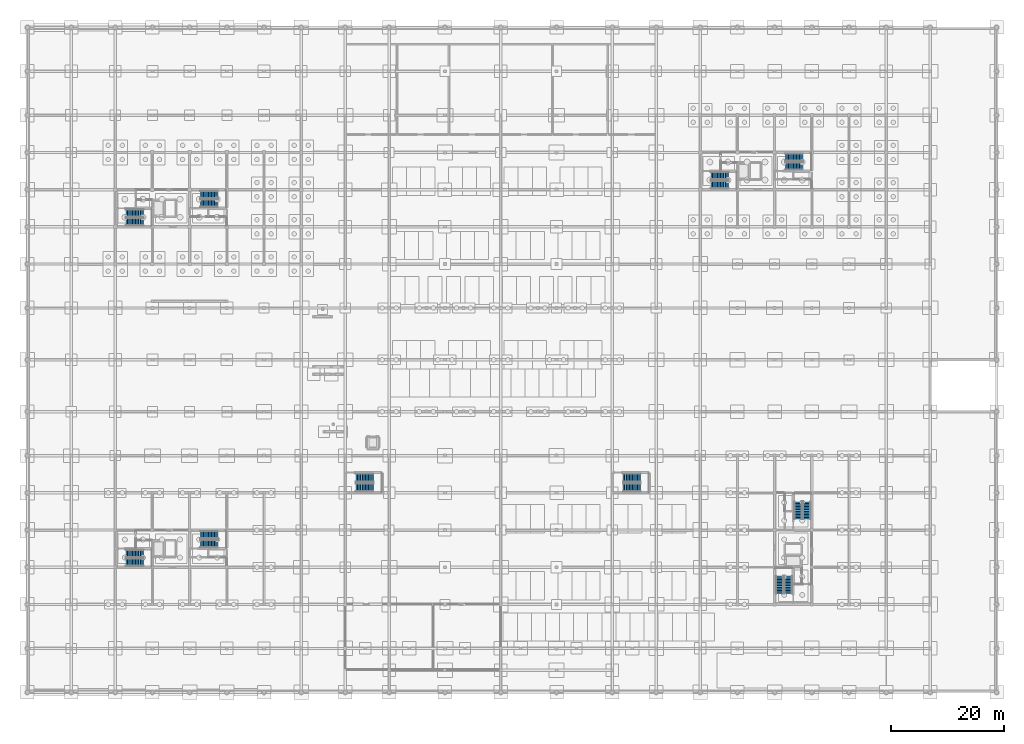
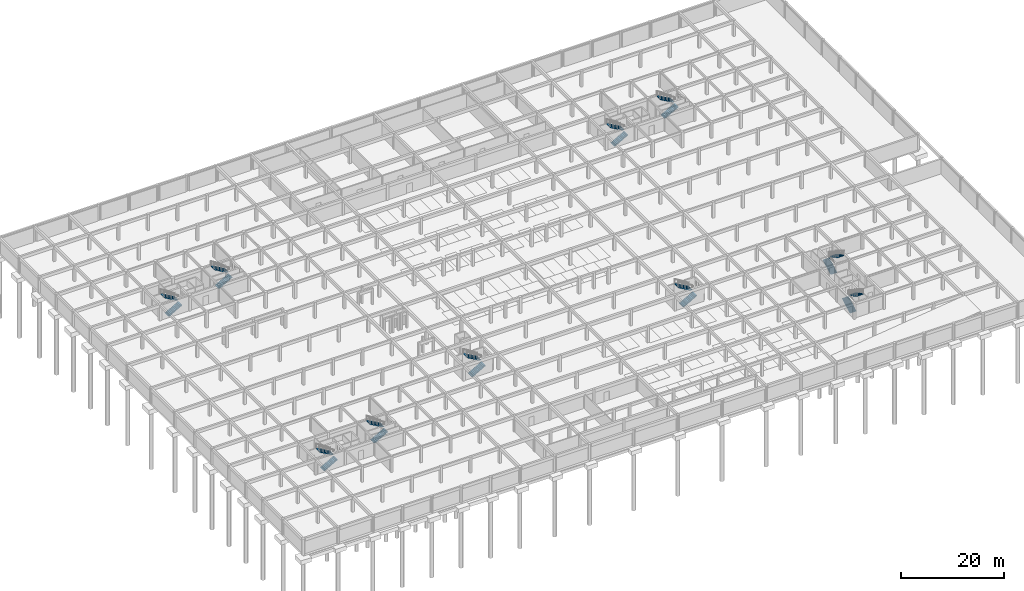
# One storey, part 32 of 37: 20 stair flights, 10 elements without a shape of their own.
"""IFC4 building model written with IfcOpenShell, lengths in metres."""

from ifc_helpers import new_model, si_unit, direction, frame, origin, place, context, subcontext, project, spatial, polyline, outline, extrude, material, type_object, element, aggregate, save


model = new_model("IFC4")

# Units and contexts
model_context = context("Model", 3, precision=1e-05, world=origin(), true_north=direction((0.0, 1.0)))
body_context = subcontext(model_context, "Body", "Model", "MODEL_VIEW")
ifc_project = project(units=[si_unit("LENGTHUNIT", "METRE"), si_unit("AREAUNIT", "SQUARE_METRE"), si_unit("VOLUMEUNIT", "CUBIC_METRE"), si_unit("PLANEANGLEUNIT", "RADIAN"), si_unit("MASSUNIT", "GRAM", prefix="KILO")], contexts=[model_context])

# Site, building, storey
site_placement = place(None, origin())
site = spatial("IfcSite", under=ifc_project, at=site_placement, CompositionType="ELEMENT")
building_placement = place(site_placement, origin())
building = spatial("IfcBuilding", under=site, at=building_placement, Name="Kernevlak Ridge Housing Community", CompositionType="ELEMENT")
storey_placement = place(building_placement, frame((0.0, 0.0, -3.800048828125)))
storey = spatial("IfcBuildingStorey", under=building, at=storey_placement, Name="B1", CompositionType="ELEMENT", Elevation=-3.800048828125)

# Stair, stair flights
ifc_material = material(Name="Concrete C35/45", Category="concrete")
stair_type_1 = type_object("IfcStairType", Name="SR-03", PredefinedType="HALF_TURN_STAIR", material=ifc_material)
stair_1_placement = place(storey_placement, origin())
stair_1 = element("IfcStair", 1, at=stair_1_placement, inside=storey, type_object=stair_type_1, Name="Stair ST-A1 B1", PredefinedType="HALF_TURN_STAIR")
stair_flight_type_1 = type_object("IfcStairFlightType", Name="SF-03", PredefinedType="STRAIGHT", material=ifc_material)
stair_flight_1_placement = place(storey_placement, frame((17.52001953125, 83.4599609375, 0.0), z_axis=(0.0, 0.0, 1.0), x_axis=(1.0, 0.0, 0.0)))
stair_flight_1 = element("IfcStairFlight", 2, at=stair_flight_1_placement, type_object=stair_flight_type_1, Name="SR-03 flight 1", NumberOfRisers=12, NumberOfTreads=11, PredefinedType="STRAIGHT", RiserHeight=0.158333333, TreadLength=0.28, context=body_context, shape_type="SweptSolid", body=[
    extrude(outline(polyline([(0.0, 0.0), (0.0, 0.158447265625), (0.280029296875, 0.158447265625), (0.280029296875, 0.316650390625), (0.56005859375, 0.316650390625), (0.56005859375, 0.47509765625), (0.840087890625, 0.47509765625), (0.840087890625, 0.63330078125), (1.1201171875, 0.63330078125), (1.1201171875, 0.791748046875), (1.39990234375, 0.791748046875), (1.39990234375, 0.949951171875), (1.679931640625, 0.949951171875), (1.679931640625, 1.1083984375), (1.9599609375, 1.1083984375), (1.9599609375, 1.2666015625), (2.239990234375, 1.2666015625), (2.239990234375, 1.425048828125), (2.52001953125, 1.425048828125), (2.52001953125, 1.583251953125), (2.800048828125, 1.583251953125), (2.800048828125, 1.74169921875), (3.080078125, 1.74169921875), (3.080078125, 1.89990234375), (3.080078125, 1.54638671875), (0.34521484375, 0.0), (0.0, 0.0)])), frame((0.0, 0.699951171875, 0.0), z_axis=(0.0, -1.0, 0.0), x_axis=(1.0, 0.0, 0.0)), (0.0, 0.0, 1.0), 1.39990234375),
])
stair_flight_2_placement = place(storey_placement, frame((20.60009765625, 85.0400390625, 1.900146484375), z_axis=(0.0, 0.0, 1.0), x_axis=(-1.0, 0.0, 0.0)))
stair_flight_2 = element("IfcStairFlight", 3, at=stair_flight_2_placement, type_object=stair_flight_type_1, Name="SR-03 flight 2", NumberOfRisers=12, NumberOfTreads=11, PredefinedType="STRAIGHT", RiserHeight=0.158333333, TreadLength=0.28, context=body_context, shape_type="SweptSolid", body=[
    extrude(outline(polyline([(0.0, 0.0), (0.0, 0.158447265625), (0.280029296875, 0.158447265625), (0.280029296875, 0.316650390625), (0.56005859375, 0.316650390625), (0.56005859375, 0.47509765625), (0.840087890625, 0.47509765625), (0.840087890625, 0.63330078125), (1.1201171875, 0.63330078125), (1.1201171875, 0.791748046875), (1.39990234375, 0.791748046875), (1.39990234375, 0.949951171875), (1.679931640625, 0.949951171875), (1.679931640625, 1.1083984375), (1.9599609375, 1.1083984375), (1.9599609375, 1.2666015625), (2.239990234375, 1.2666015625), (2.239990234375, 1.425048828125), (2.52001953125, 1.425048828125), (2.52001953125, 1.583251953125), (2.800048828125, 1.583251953125), (2.800048828125, 1.74169921875), (3.080078125, 1.74169921875), (3.080078125, 1.89990234375), (3.080078125, 1.54638671875), (0.34521484375, 0.0), (0.0, 0.0)])), frame((0.0, 0.699951171875, 0.0), z_axis=(0.0, -1.0, 0.0), x_axis=(1.0, 0.0, 0.0)), (0.0, 0.0, 1.0), 1.39990234375),
])
aggregate(stair_1, [stair_flight_1, stair_flight_2])

stair_2_placement = place(storey_placement, origin())
stair_2 = element("IfcStair", 4, at=stair_2_placement, inside=storey, type_object=stair_type_1, Name="Stair ST-A2 B1", PredefinedType="HALF_TURN_STAIR")
stair_flight_3_placement = place(storey_placement, frame((30.719970703125, 86.760009765625, 0.0), z_axis=(0.0, 0.0, 1.0), x_axis=(1.0, 0.0, 0.0)))
stair_flight_3 = element("IfcStairFlight", 5, at=stair_flight_3_placement, type_object=stair_flight_type_1, Name="SR-03 flight 1", NumberOfRisers=12, NumberOfTreads=11, PredefinedType="STRAIGHT", RiserHeight=0.158333333, TreadLength=0.28, context=body_context, shape_type="SweptSolid", body=[
    extrude(outline(polyline([(0.0, 0.0), (0.0, 0.158447265625), (0.280029296875, 0.158447265625), (0.280029296875, 0.316650390625), (0.56005859375, 0.316650390625), (0.56005859375, 0.47509765625), (0.840087890625, 0.47509765625), (0.840087890625, 0.63330078125), (1.1201171875, 0.63330078125), (1.1201171875, 0.791748046875), (1.39990234375, 0.791748046875), (1.39990234375, 0.949951171875), (1.679931640625, 0.949951171875), (1.679931640625, 1.1083984375), (1.9599609375, 1.1083984375), (1.9599609375, 1.2666015625), (2.239990234375, 1.2666015625), (2.239990234375, 1.425048828125), (2.52001953125, 1.425048828125), (2.52001953125, 1.583251953125), (2.800048828125, 1.583251953125), (2.800048828125, 1.74169921875), (3.080078125, 1.74169921875), (3.080078125, 1.89990234375), (3.080078125, 1.54638671875), (0.34521484375, 0.0), (0.0, 0.0)])), frame((0.0, 0.699951171875, 0.0), z_axis=(0.0, -1.0, 0.0), x_axis=(1.0, 0.0, 0.0)), (0.0, 0.0, 1.0), 1.39990234375),
])
stair_flight_4_placement = place(storey_placement, frame((33.800048828125, 88.340087890625, 1.900146484375), z_axis=(0.0, 0.0, 1.0), x_axis=(-1.0, 0.0, 0.0)))
stair_flight_4 = element("IfcStairFlight", 6, at=stair_flight_4_placement, type_object=stair_flight_type_1, Name="SR-03 flight 2", NumberOfRisers=12, NumberOfTreads=11, PredefinedType="STRAIGHT", RiserHeight=0.158333333, TreadLength=0.28, context=body_context, shape_type="SweptSolid", body=[
    extrude(outline(polyline([(0.0, 0.0), (0.0, 0.158447265625), (0.280029296875, 0.158447265625), (0.280029296875, 0.316650390625), (0.56005859375, 0.316650390625), (0.56005859375, 0.47509765625), (0.840087890625, 0.47509765625), (0.840087890625, 0.63330078125), (1.1201171875, 0.63330078125), (1.1201171875, 0.791748046875), (1.39990234375, 0.791748046875), (1.39990234375, 0.949951171875), (1.679931640625, 0.949951171875), (1.679931640625, 1.1083984375), (1.9599609375, 1.1083984375), (1.9599609375, 1.2666015625), (2.239990234375, 1.2666015625), (2.239990234375, 1.425048828125), (2.52001953125, 1.425048828125), (2.52001953125, 1.583251953125), (2.800048828125, 1.583251953125), (2.800048828125, 1.74169921875), (3.080078125, 1.74169921875), (3.080078125, 1.89990234375), (3.080078125, 1.54638671875), (0.34521484375, 0.0), (0.0, 0.0)])), frame((0.0, 0.699951171875, 0.0), z_axis=(0.0, -1.0, 0.0), x_axis=(1.0, 0.0, 0.0)), (0.0, 0.0, 1.0), 1.39990234375),
])
aggregate(stair_2, [stair_flight_3, stair_flight_4])

stair_3_placement = place(storey_placement, origin())
stair_3 = element("IfcStair", 7, at=stair_3_placement, inside=storey, type_object=stair_type_1, Name="Stair ST-B1 B1", PredefinedType="HALF_TURN_STAIR")
stair_flight_5_placement = place(storey_placement, frame((121.320068359375, 90.06005859375, 0.0), z_axis=(0.0, 0.0, 1.0), x_axis=(1.0, 0.0, 0.0)))
stair_flight_5 = element("IfcStairFlight", 8, at=stair_flight_5_placement, type_object=stair_flight_type_1, Name="SR-03 flight 1", NumberOfRisers=12, NumberOfTreads=11, PredefinedType="STRAIGHT", RiserHeight=0.158333333, TreadLength=0.28, context=body_context, shape_type="SweptSolid", body=[
    extrude(outline(polyline([(0.0, 0.0), (0.0, 0.158447265625), (0.280029296875, 0.158447265625), (0.280029296875, 0.316650390625), (0.56005859375, 0.316650390625), (0.56005859375, 0.47509765625), (0.840087890625, 0.47509765625), (0.840087890625, 0.63330078125), (1.1201171875, 0.63330078125), (1.1201171875, 0.791748046875), (1.39990234375, 0.791748046875), (1.39990234375, 0.949951171875), (1.679931640625, 0.949951171875), (1.679931640625, 1.1083984375), (1.9599609375, 1.1083984375), (1.9599609375, 1.2666015625), (2.239990234375, 1.2666015625), (2.239990234375, 1.425048828125), (2.52001953125, 1.425048828125), (2.52001953125, 1.583251953125), (2.800048828125, 1.583251953125), (2.800048828125, 1.74169921875), (3.080078125, 1.74169921875), (3.080078125, 1.89990234375), (3.080078125, 1.54638671875), (0.34521484375, 0.0), (0.0, 0.0)])), frame((0.0, 0.699951171875, 0.0), z_axis=(0.0, -1.0, 0.0), x_axis=(1.0, 0.0, 0.0)), (0.0, 0.0, 1.0), 1.39990234375),
])
stair_flight_6_placement = place(storey_placement, frame((124.39990234375, 91.639892578125, 1.900146484375), z_axis=(0.0, 0.0, 1.0), x_axis=(-1.0, 0.0, 0.0)))
stair_flight_6 = element("IfcStairFlight", 9, at=stair_flight_6_placement, type_object=stair_flight_type_1, Name="SR-03 flight 2", NumberOfRisers=12, NumberOfTreads=11, PredefinedType="STRAIGHT", RiserHeight=0.158333333, TreadLength=0.28, context=body_context, shape_type="SweptSolid", body=[
    extrude(outline(polyline([(0.0, 0.0), (0.0, 0.158447265625), (0.280029296875, 0.158447265625), (0.280029296875, 0.316650390625), (0.56005859375, 0.316650390625), (0.56005859375, 0.47509765625), (0.840087890625, 0.47509765625), (0.840087890625, 0.63330078125), (1.1201171875, 0.63330078125), (1.1201171875, 0.791748046875), (1.39990234375, 0.791748046875), (1.39990234375, 0.949951171875), (1.679931640625, 0.949951171875), (1.679931640625, 1.1083984375), (1.9599609375, 1.1083984375), (1.9599609375, 1.2666015625), (2.239990234375, 1.2666015625), (2.239990234375, 1.425048828125), (2.52001953125, 1.425048828125), (2.52001953125, 1.583251953125), (2.800048828125, 1.583251953125), (2.800048828125, 1.74169921875), (3.080078125, 1.74169921875), (3.080078125, 1.89990234375), (3.080078125, 1.54638671875), (0.34521484375, 0.0), (0.0, 0.0)])), frame((0.0, 0.699951171875, 0.0), z_axis=(0.0, -1.0, 0.0), x_axis=(1.0, 0.0, 0.0)), (0.0, 0.0, 1.0), 1.39990234375),
])
aggregate(stair_3, [stair_flight_5, stair_flight_6])

stair_4_placement = place(storey_placement, origin())
stair_4 = element("IfcStair", 10, at=stair_4_placement, inside=storey, type_object=stair_type_1, Name="Stair ST-B2 B1", PredefinedType="HALF_TURN_STAIR")
stair_flight_7_placement = place(storey_placement, frame((134.52001953125, 93.360107421875, 0.0), z_axis=(0.0, 0.0, 1.0), x_axis=(1.0, 0.0, 0.0)))
stair_flight_7 = element("IfcStairFlight", 11, at=stair_flight_7_placement, type_object=stair_flight_type_1, Name="SR-03 flight 1", NumberOfRisers=12, NumberOfTreads=11, PredefinedType="STRAIGHT", RiserHeight=0.158333333, TreadLength=0.28, context=body_context, shape_type="SweptSolid", body=[
    extrude(outline(polyline([(0.0, 0.0), (0.0, 0.158447265625), (0.280029296875, 0.158447265625), (0.280029296875, 0.316650390625), (0.56005859375, 0.316650390625), (0.56005859375, 0.47509765625), (0.840087890625, 0.47509765625), (0.840087890625, 0.63330078125), (1.1201171875, 0.63330078125), (1.1201171875, 0.791748046875), (1.39990234375, 0.791748046875), (1.39990234375, 0.949951171875), (1.679931640625, 0.949951171875), (1.679931640625, 1.1083984375), (1.9599609375, 1.1083984375), (1.9599609375, 1.2666015625), (2.239990234375, 1.2666015625), (2.239990234375, 1.425048828125), (2.52001953125, 1.425048828125), (2.52001953125, 1.583251953125), (2.800048828125, 1.583251953125), (2.800048828125, 1.74169921875), (3.080078125, 1.74169921875), (3.080078125, 1.89990234375), (3.080078125, 1.54638671875), (0.34521484375, 0.0), (0.0, 0.0)])), frame((0.0, 0.699951171875, 0.0), z_axis=(0.0, -1.0, 0.0), x_axis=(1.0, 0.0, 0.0)), (0.0, 0.0, 1.0), 1.39990234375),
])
stair_flight_8_placement = place(storey_placement, frame((137.60009765625, 94.93994140625, 1.900146484375), z_axis=(0.0, 0.0, 1.0), x_axis=(-1.0, 0.0, 0.0)))
stair_flight_8 = element("IfcStairFlight", 12, at=stair_flight_8_placement, type_object=stair_flight_type_1, Name="SR-03 flight 2", NumberOfRisers=12, NumberOfTreads=11, PredefinedType="STRAIGHT", RiserHeight=0.158333333, TreadLength=0.28, context=body_context, shape_type="SweptSolid", body=[
    extrude(outline(polyline([(0.0, 0.0), (0.0, 0.158447265625), (0.280029296875, 0.158447265625), (0.280029296875, 0.316650390625), (0.56005859375, 0.316650390625), (0.56005859375, 0.47509765625), (0.840087890625, 0.47509765625), (0.840087890625, 0.63330078125), (1.1201171875, 0.63330078125), (1.1201171875, 0.791748046875), (1.39990234375, 0.791748046875), (1.39990234375, 0.949951171875), (1.679931640625, 0.949951171875), (1.679931640625, 1.1083984375), (1.9599609375, 1.1083984375), (1.9599609375, 1.2666015625), (2.239990234375, 1.2666015625), (2.239990234375, 1.425048828125), (2.52001953125, 1.425048828125), (2.52001953125, 1.583251953125), (2.800048828125, 1.583251953125), (2.800048828125, 1.74169921875), (3.080078125, 1.74169921875), (3.080078125, 1.89990234375), (3.080078125, 1.54638671875), (0.34521484375, 0.0), (0.0, 0.0)])), frame((0.0, 0.699951171875, 0.0), z_axis=(0.0, -1.0, 0.0), x_axis=(1.0, 0.0, 0.0)), (0.0, 0.0, 1.0), 1.39990234375),
])
aggregate(stair_4, [stair_flight_7, stair_flight_8])

stair_5_placement = place(storey_placement, origin())
stair_5 = element("IfcStair", 13, at=stair_5_placement, inside=storey, type_object=stair_type_1, Name="Stair ST-C1 B1", PredefinedType="HALF_TURN_STAIR")
stair_flight_9_placement = place(storey_placement, frame((133.4599609375, 17.52001953125, 0.0), z_axis=(0.0, 0.0, 1.0), x_axis=(0.0, 1.0, 0.0)))
stair_flight_9 = element("IfcStairFlight", 14, at=stair_flight_9_placement, type_object=stair_flight_type_1, Name="SR-03 flight 1", NumberOfRisers=12, NumberOfTreads=11, PredefinedType="STRAIGHT", RiserHeight=0.158333333, TreadLength=0.28, context=body_context, shape_type="SweptSolid", body=[
    extrude(outline(polyline([(0.0, 0.0), (0.0, 0.158447265625), (0.280029296875, 0.158447265625), (0.280029296875, 0.316650390625), (0.56005859375, 0.316650390625), (0.56005859375, 0.47509765625), (0.840087890625, 0.47509765625), (0.840087890625, 0.63330078125), (1.1201171875, 0.63330078125), (1.1201171875, 0.791748046875), (1.39990234375, 0.791748046875), (1.39990234375, 0.949951171875), (1.679931640625, 0.949951171875), (1.679931640625, 1.1083984375), (1.9599609375, 1.1083984375), (1.9599609375, 1.2666015625), (2.239990234375, 1.2666015625), (2.239990234375, 1.425048828125), (2.52001953125, 1.425048828125), (2.52001953125, 1.583251953125), (2.800048828125, 1.583251953125), (2.800048828125, 1.74169921875), (3.080078125, 1.74169921875), (3.080078125, 1.89990234375), (3.080078125, 1.54638671875), (0.34521484375, 0.0), (0.0, 0.0)])), frame((0.0, 0.699951171875, 0.0), z_axis=(0.0, -1.0, 0.0), x_axis=(1.0, 0.0, 0.0)), (0.0, 0.0, 1.0), 1.39990234375),
])
stair_flight_10_placement = place(storey_placement, frame((135.0400390625, 20.60009765625, 1.900146484375), z_axis=(0.0, 0.0, 1.0), x_axis=(0.0, -1.0, 0.0)))
stair_flight_10 = element("IfcStairFlight", 15, at=stair_flight_10_placement, type_object=stair_flight_type_1, Name="SR-03 flight 2", NumberOfRisers=12, NumberOfTreads=11, PredefinedType="STRAIGHT", RiserHeight=0.158333333, TreadLength=0.28, context=body_context, shape_type="SweptSolid", body=[
    extrude(outline(polyline([(0.0, 0.0), (0.0, 0.158447265625), (0.280029296875, 0.158447265625), (0.280029296875, 0.316650390625), (0.56005859375, 0.316650390625), (0.56005859375, 0.47509765625), (0.840087890625, 0.47509765625), (0.840087890625, 0.63330078125), (1.1201171875, 0.63330078125), (1.1201171875, 0.791748046875), (1.39990234375, 0.791748046875), (1.39990234375, 0.949951171875), (1.679931640625, 0.949951171875), (1.679931640625, 1.1083984375), (1.9599609375, 1.1083984375), (1.9599609375, 1.2666015625), (2.239990234375, 1.2666015625), (2.239990234375, 1.425048828125), (2.52001953125, 1.425048828125), (2.52001953125, 1.583251953125), (2.800048828125, 1.583251953125), (2.800048828125, 1.74169921875), (3.080078125, 1.74169921875), (3.080078125, 1.89990234375), (3.080078125, 1.54638671875), (0.34521484375, 0.0), (0.0, 0.0)])), frame((0.0, 0.699951171875, 0.0), z_axis=(0.0, -1.0, 0.0), x_axis=(1.0, 0.0, 0.0)), (0.0, 0.0, 1.0), 1.39990234375),
])
aggregate(stair_5, [stair_flight_9, stair_flight_10])

stair_6_placement = place(storey_placement, origin())
stair_6 = element("IfcStair", 16, at=stair_6_placement, inside=storey, type_object=stair_type_1, Name="Stair ST-C2 B1", PredefinedType="HALF_TURN_STAIR")
stair_flight_11_placement = place(storey_placement, frame((136.760009765625, 30.719970703125, 0.0), z_axis=(0.0, 0.0, 1.0), x_axis=(0.0, 1.0, 0.0)))
stair_flight_11 = element("IfcStairFlight", 17, at=stair_flight_11_placement, type_object=stair_flight_type_1, Name="SR-03 flight 1", NumberOfRisers=12, NumberOfTreads=11, PredefinedType="STRAIGHT", RiserHeight=0.158333333, TreadLength=0.28, context=body_context, shape_type="SweptSolid", body=[
    extrude(outline(polyline([(0.0, 0.0), (0.0, 0.158447265625), (0.280029296875, 0.158447265625), (0.280029296875, 0.316650390625), (0.56005859375, 0.316650390625), (0.56005859375, 0.47509765625), (0.840087890625, 0.47509765625), (0.840087890625, 0.63330078125), (1.1201171875, 0.63330078125), (1.1201171875, 0.791748046875), (1.39990234375, 0.791748046875), (1.39990234375, 0.949951171875), (1.679931640625, 0.949951171875), (1.679931640625, 1.1083984375), (1.9599609375, 1.1083984375), (1.9599609375, 1.2666015625), (2.239990234375, 1.2666015625), (2.239990234375, 1.425048828125), (2.52001953125, 1.425048828125), (2.52001953125, 1.583251953125), (2.800048828125, 1.583251953125), (2.800048828125, 1.74169921875), (3.080078125, 1.74169921875), (3.080078125, 1.89990234375), (3.080078125, 1.54638671875), (0.34521484375, 0.0), (0.0, 0.0)])), frame((0.0, 0.699951171875, 0.0), z_axis=(0.0, -1.0, 0.0), x_axis=(1.0, 0.0, 0.0)), (0.0, 0.0, 1.0), 1.39990234375),
])
stair_flight_12_placement = place(storey_placement, frame((138.340087890625, 33.800048828125, 1.900146484375), z_axis=(0.0, 0.0, 1.0), x_axis=(0.0, -1.0, 0.0)))
stair_flight_12 = element("IfcStairFlight", 18, at=stair_flight_12_placement, type_object=stair_flight_type_1, Name="SR-03 flight 2", NumberOfRisers=12, NumberOfTreads=11, PredefinedType="STRAIGHT", RiserHeight=0.158333333, TreadLength=0.28, context=body_context, shape_type="SweptSolid", body=[
    extrude(outline(polyline([(0.0, 0.0), (0.0, 0.158447265625), (0.280029296875, 0.158447265625), (0.280029296875, 0.316650390625), (0.56005859375, 0.316650390625), (0.56005859375, 0.47509765625), (0.840087890625, 0.47509765625), (0.840087890625, 0.63330078125), (1.1201171875, 0.63330078125), (1.1201171875, 0.791748046875), (1.39990234375, 0.791748046875), (1.39990234375, 0.949951171875), (1.679931640625, 0.949951171875), (1.679931640625, 1.1083984375), (1.9599609375, 1.1083984375), (1.9599609375, 1.2666015625), (2.239990234375, 1.2666015625), (2.239990234375, 1.425048828125), (2.52001953125, 1.425048828125), (2.52001953125, 1.583251953125), (2.800048828125, 1.583251953125), (2.800048828125, 1.74169921875), (3.080078125, 1.74169921875), (3.080078125, 1.89990234375), (3.080078125, 1.54638671875), (0.34521484375, 0.0), (0.0, 0.0)])), frame((0.0, 0.699951171875, 0.0), z_axis=(0.0, -1.0, 0.0), x_axis=(1.0, 0.0, 0.0)), (0.0, 0.0, 1.0), 1.39990234375),
])
aggregate(stair_6, [stair_flight_11, stair_flight_12])

stair_7_placement = place(storey_placement, origin())
stair_7 = element("IfcStair", 19, at=stair_7_placement, inside=storey, type_object=stair_type_1, Name="Stair ST-D1 B1", PredefinedType="HALF_TURN_STAIR")
stair_flight_13_placement = place(storey_placement, frame((17.52001953125, 23.06005859375, 0.0), z_axis=(0.0, 0.0, 1.0), x_axis=(1.0, 0.0, 0.0)))
stair_flight_13 = element("IfcStairFlight", 20, at=stair_flight_13_placement, type_object=stair_flight_type_1, Name="SR-03 flight 1", NumberOfRisers=12, NumberOfTreads=11, PredefinedType="STRAIGHT", RiserHeight=0.158333333, TreadLength=0.28, context=body_context, shape_type="SweptSolid", body=[
    extrude(outline(polyline([(0.0, 0.0), (0.0, 0.158447265625), (0.280029296875, 0.158447265625), (0.280029296875, 0.316650390625), (0.56005859375, 0.316650390625), (0.56005859375, 0.47509765625), (0.840087890625, 0.47509765625), (0.840087890625, 0.63330078125), (1.1201171875, 0.63330078125), (1.1201171875, 0.791748046875), (1.39990234375, 0.791748046875), (1.39990234375, 0.949951171875), (1.679931640625, 0.949951171875), (1.679931640625, 1.1083984375), (1.9599609375, 1.1083984375), (1.9599609375, 1.2666015625), (2.239990234375, 1.2666015625), (2.239990234375, 1.425048828125), (2.52001953125, 1.425048828125), (2.52001953125, 1.583251953125), (2.800048828125, 1.583251953125), (2.800048828125, 1.74169921875), (3.080078125, 1.74169921875), (3.080078125, 1.89990234375), (3.080078125, 1.54638671875), (0.34521484375, 0.0), (0.0, 0.0)])), frame((0.0, 0.699951171875, 0.0), z_axis=(0.0, -1.0, 0.0), x_axis=(1.0, 0.0, 0.0)), (0.0, 0.0, 1.0), 1.39990234375),
])
stair_flight_14_placement = place(storey_placement, frame((20.60009765625, 24.639892578125, 1.900146484375), z_axis=(0.0, 0.0, 1.0), x_axis=(-1.0, 0.0, 0.0)))
stair_flight_14 = element("IfcStairFlight", 21, at=stair_flight_14_placement, type_object=stair_flight_type_1, Name="SR-03 flight 2", NumberOfRisers=12, NumberOfTreads=11, PredefinedType="STRAIGHT", RiserHeight=0.158333333, TreadLength=0.28, context=body_context, shape_type="SweptSolid", body=[
    extrude(outline(polyline([(0.0, 0.0), (0.0, 0.158447265625), (0.280029296875, 0.158447265625), (0.280029296875, 0.316650390625), (0.56005859375, 0.316650390625), (0.56005859375, 0.47509765625), (0.840087890625, 0.47509765625), (0.840087890625, 0.63330078125), (1.1201171875, 0.63330078125), (1.1201171875, 0.791748046875), (1.39990234375, 0.791748046875), (1.39990234375, 0.949951171875), (1.679931640625, 0.949951171875), (1.679931640625, 1.1083984375), (1.9599609375, 1.1083984375), (1.9599609375, 1.2666015625), (2.239990234375, 1.2666015625), (2.239990234375, 1.425048828125), (2.52001953125, 1.425048828125), (2.52001953125, 1.583251953125), (2.800048828125, 1.583251953125), (2.800048828125, 1.74169921875), (3.080078125, 1.74169921875), (3.080078125, 1.89990234375), (3.080078125, 1.54638671875), (0.34521484375, 0.0), (0.0, 0.0)])), frame((0.0, 0.699951171875, 0.0), z_axis=(0.0, -1.0, 0.0), x_axis=(1.0, 0.0, 0.0)), (0.0, 0.0, 1.0), 1.39990234375),
])
aggregate(stair_7, [stair_flight_13, stair_flight_14])

stair_8_placement = place(storey_placement, origin())
stair_8 = element("IfcStair", 22, at=stair_8_placement, inside=storey, type_object=stair_type_1, Name="Stair ST-D2 B1", PredefinedType="HALF_TURN_STAIR")
stair_flight_15_placement = place(storey_placement, frame((30.719970703125, 26.360107421875, 0.0), z_axis=(0.0, 0.0, 1.0), x_axis=(1.0, 0.0, 0.0)))
stair_flight_15 = element("IfcStairFlight", 23, at=stair_flight_15_placement, type_object=stair_flight_type_1, Name="SR-03 flight 1", NumberOfRisers=12, NumberOfTreads=11, PredefinedType="STRAIGHT", RiserHeight=0.158333333, TreadLength=0.28, context=body_context, shape_type="SweptSolid", body=[
    extrude(outline(polyline([(0.0, 0.0), (0.0, 0.158447265625), (0.280029296875, 0.158447265625), (0.280029296875, 0.316650390625), (0.56005859375, 0.316650390625), (0.56005859375, 0.47509765625), (0.840087890625, 0.47509765625), (0.840087890625, 0.63330078125), (1.1201171875, 0.63330078125), (1.1201171875, 0.791748046875), (1.39990234375, 0.791748046875), (1.39990234375, 0.949951171875), (1.679931640625, 0.949951171875), (1.679931640625, 1.1083984375), (1.9599609375, 1.1083984375), (1.9599609375, 1.2666015625), (2.239990234375, 1.2666015625), (2.239990234375, 1.425048828125), (2.52001953125, 1.425048828125), (2.52001953125, 1.583251953125), (2.800048828125, 1.583251953125), (2.800048828125, 1.74169921875), (3.080078125, 1.74169921875), (3.080078125, 1.89990234375), (3.080078125, 1.54638671875), (0.34521484375, 0.0), (0.0, 0.0)])), frame((0.0, 0.699951171875, 0.0), z_axis=(0.0, -1.0, 0.0), x_axis=(1.0, 0.0, 0.0)), (0.0, 0.0, 1.0), 1.39990234375),
])
stair_flight_16_placement = place(storey_placement, frame((33.800048828125, 27.93994140625, 1.900146484375), z_axis=(0.0, 0.0, 1.0), x_axis=(-1.0, 0.0, 0.0)))
stair_flight_16 = element("IfcStairFlight", 24, at=stair_flight_16_placement, type_object=stair_flight_type_1, Name="SR-03 flight 2", NumberOfRisers=12, NumberOfTreads=11, PredefinedType="STRAIGHT", RiserHeight=0.158333333, TreadLength=0.28, context=body_context, shape_type="SweptSolid", body=[
    extrude(outline(polyline([(0.0, 0.0), (0.0, 0.158447265625), (0.280029296875, 0.158447265625), (0.280029296875, 0.316650390625), (0.56005859375, 0.316650390625), (0.56005859375, 0.47509765625), (0.840087890625, 0.47509765625), (0.840087890625, 0.63330078125), (1.1201171875, 0.63330078125), (1.1201171875, 0.791748046875), (1.39990234375, 0.791748046875), (1.39990234375, 0.949951171875), (1.679931640625, 0.949951171875), (1.679931640625, 1.1083984375), (1.9599609375, 1.1083984375), (1.9599609375, 1.2666015625), (2.239990234375, 1.2666015625), (2.239990234375, 1.425048828125), (2.52001953125, 1.425048828125), (2.52001953125, 1.583251953125), (2.800048828125, 1.583251953125), (2.800048828125, 1.74169921875), (3.080078125, 1.74169921875), (3.080078125, 1.89990234375), (3.080078125, 1.54638671875), (0.34521484375, 0.0), (0.0, 0.0)])), frame((0.0, 0.699951171875, 0.0), z_axis=(0.0, -1.0, 0.0), x_axis=(1.0, 0.0, 0.0)), (0.0, 0.0, 1.0), 1.39990234375),
])
aggregate(stair_8, [stair_flight_15, stair_flight_16])

stair_type_2 = type_object("IfcStairType", Name="SR-05", PredefinedType="HALF_TURN_STAIR", material=ifc_material)
stair_9_placement = place(storey_placement, origin())
stair_9 = element("IfcStair", 25, at=stair_9_placement, inside=storey, type_object=stair_type_2, Name="Stair ST-P1 B1", PredefinedType="HALF_TURN_STAIR")
stair_flight_type_2 = type_object("IfcStairFlightType", Name="SF-05", PredefinedType="STRAIGHT", material=ifc_material)
stair_flight_17_placement = place(storey_placement, frame((58.320068359375, 36.31005859375, 0.0), z_axis=(0.0, 0.0, 1.0), x_axis=(1.0, 0.0, 0.0)))
stair_flight_17 = element("IfcStairFlight", 26, at=stair_flight_17_placement, type_object=stair_flight_type_2, Name="SR-05 flight 1", NumberOfRisers=12, NumberOfTreads=11, PredefinedType="STRAIGHT", RiserHeight=0.158333333, TreadLength=0.28, context=body_context, shape_type="SweptSolid", body=[
    extrude(outline(polyline([(0.0, 0.0), (0.0, 0.158447265625), (0.280029296875, 0.158447265625), (0.280029296875, 0.316650390625), (0.56005859375, 0.316650390625), (0.56005859375, 0.47509765625), (0.840087890625, 0.47509765625), (0.840087890625, 0.63330078125), (1.1201171875, 0.63330078125), (1.1201171875, 0.791748046875), (1.39990234375, 0.791748046875), (1.39990234375, 0.949951171875), (1.679931640625, 0.949951171875), (1.679931640625, 1.1083984375), (1.9599609375, 1.1083984375), (1.9599609375, 1.2666015625), (2.239990234375, 1.2666015625), (2.239990234375, 1.425048828125), (2.52001953125, 1.425048828125), (2.52001953125, 1.583251953125), (2.800048828125, 1.583251953125), (2.800048828125, 1.74169921875), (3.080078125, 1.74169921875), (3.080078125, 1.89990234375), (3.080078125, 1.54638671875), (0.34521484375, 0.0), (0.0, 0.0)])), frame((0.0, 0.75, 0.0), z_axis=(0.0, -1.0, 0.0), x_axis=(1.0, 0.0, 0.0)), (0.0, 0.0, 1.0), 1.5),
])
stair_flight_18_placement = place(storey_placement, frame((61.39990234375, 38.090087890625, 1.900146484375), z_axis=(0.0, 0.0, 1.0), x_axis=(-1.0, 0.0, 0.0)))
stair_flight_18 = element("IfcStairFlight", 27, at=stair_flight_18_placement, type_object=stair_flight_type_2, Name="SR-05 flight 2", NumberOfRisers=12, NumberOfTreads=11, PredefinedType="STRAIGHT", RiserHeight=0.158333333, TreadLength=0.28, context=body_context, shape_type="SweptSolid", body=[
    extrude(outline(polyline([(0.0, 0.0), (0.0, 0.158447265625), (0.280029296875, 0.158447265625), (0.280029296875, 0.316650390625), (0.56005859375, 0.316650390625), (0.56005859375, 0.47509765625), (0.840087890625, 0.47509765625), (0.840087890625, 0.63330078125), (1.1201171875, 0.63330078125), (1.1201171875, 0.791748046875), (1.39990234375, 0.791748046875), (1.39990234375, 0.949951171875), (1.679931640625, 0.949951171875), (1.679931640625, 1.1083984375), (1.9599609375, 1.1083984375), (1.9599609375, 1.2666015625), (2.239990234375, 1.2666015625), (2.239990234375, 1.425048828125), (2.52001953125, 1.425048828125), (2.52001953125, 1.583251953125), (2.800048828125, 1.583251953125), (2.800048828125, 1.74169921875), (3.080078125, 1.74169921875), (3.080078125, 1.89990234375), (3.080078125, 1.54638671875), (0.34521484375, 0.0), (0.0, 0.0)])), frame((0.0, 0.75, 0.0), z_axis=(0.0, -1.0, 0.0), x_axis=(1.0, 0.0, 0.0)), (0.0, 0.0, 1.0), 1.5),
])
aggregate(stair_9, [stair_flight_17, stair_flight_18])

stair_10_placement = place(storey_placement, origin())
stair_10 = element("IfcStair", 28, at=stair_10_placement, inside=storey, type_object=stair_type_2, Name="Stair ST-P2 B1", PredefinedType="HALF_TURN_STAIR")
stair_flight_19_placement = place(storey_placement, frame((105.719970703125, 36.31005859375, 0.0), z_axis=(0.0, 0.0, 1.0), x_axis=(1.0, 0.0, 0.0)))
stair_flight_19 = element("IfcStairFlight", 29, at=stair_flight_19_placement, type_object=stair_flight_type_2, Name="SR-05 flight 1", NumberOfRisers=12, NumberOfTreads=11, PredefinedType="STRAIGHT", RiserHeight=0.158333333, TreadLength=0.28, context=body_context, shape_type="SweptSolid", body=[
    extrude(outline(polyline([(0.0, 0.0), (0.0, 0.158447265625), (0.280029296875, 0.158447265625), (0.280029296875, 0.316650390625), (0.56005859375, 0.316650390625), (0.56005859375, 0.47509765625), (0.840087890625, 0.47509765625), (0.840087890625, 0.63330078125), (1.1201171875, 0.63330078125), (1.1201171875, 0.791748046875), (1.39990234375, 0.791748046875), (1.39990234375, 0.949951171875), (1.679931640625, 0.949951171875), (1.679931640625, 1.1083984375), (1.9599609375, 1.1083984375), (1.9599609375, 1.2666015625), (2.239990234375, 1.2666015625), (2.239990234375, 1.425048828125), (2.52001953125, 1.425048828125), (2.52001953125, 1.583251953125), (2.800048828125, 1.583251953125), (2.800048828125, 1.74169921875), (3.080078125, 1.74169921875), (3.080078125, 1.89990234375), (3.080078125, 1.54638671875), (0.34521484375, 0.0), (0.0, 0.0)])), frame((0.0, 0.75, 0.0), z_axis=(0.0, -1.0, 0.0), x_axis=(1.0, 0.0, 0.0)), (0.0, 0.0, 1.0), 1.5),
])
stair_flight_20_placement = place(storey_placement, frame((108.800048828125, 38.090087890625, 1.900146484375), z_axis=(0.0, 0.0, 1.0), x_axis=(-1.0, 0.0, 0.0)))
stair_flight_20 = element("IfcStairFlight", 30, at=stair_flight_20_placement, type_object=stair_flight_type_2, Name="SR-05 flight 2", NumberOfRisers=12, NumberOfTreads=11, PredefinedType="STRAIGHT", RiserHeight=0.158333333, TreadLength=0.28, context=body_context, shape_type="SweptSolid", body=[
    extrude(outline(polyline([(0.0, 0.0), (0.0, 0.158447265625), (0.280029296875, 0.158447265625), (0.280029296875, 0.316650390625), (0.56005859375, 0.316650390625), (0.56005859375, 0.47509765625), (0.840087890625, 0.47509765625), (0.840087890625, 0.63330078125), (1.1201171875, 0.63330078125), (1.1201171875, 0.791748046875), (1.39990234375, 0.791748046875), (1.39990234375, 0.949951171875), (1.679931640625, 0.949951171875), (1.679931640625, 1.1083984375), (1.9599609375, 1.1083984375), (1.9599609375, 1.2666015625), (2.239990234375, 1.2666015625), (2.239990234375, 1.425048828125), (2.52001953125, 1.425048828125), (2.52001953125, 1.583251953125), (2.800048828125, 1.583251953125), (2.800048828125, 1.74169921875), (3.080078125, 1.74169921875), (3.080078125, 1.89990234375), (3.080078125, 1.54638671875), (0.34521484375, 0.0), (0.0, 0.0)])), frame((0.0, 0.75, 0.0), z_axis=(0.0, -1.0, 0.0), x_axis=(1.0, 0.0, 0.0)), (0.0, 0.0, 1.0), 1.5),
])
aggregate(stair_10, [stair_flight_19, stair_flight_20])

save(model, "model.ifc")
